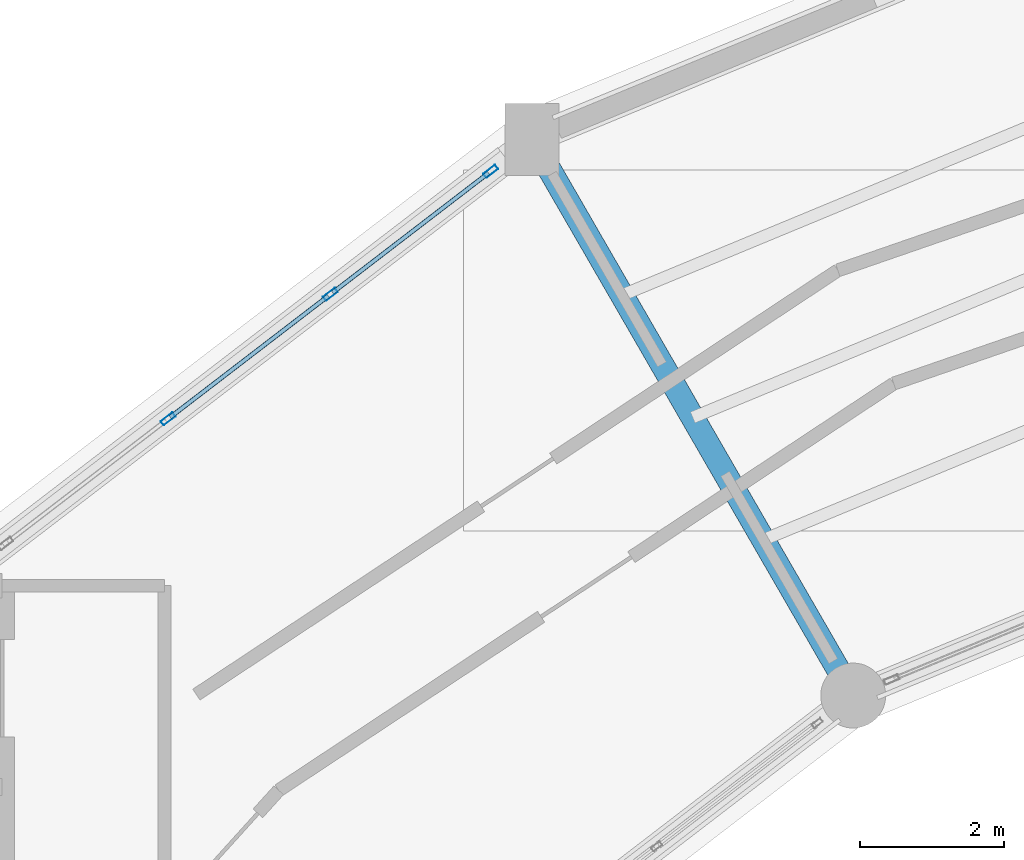
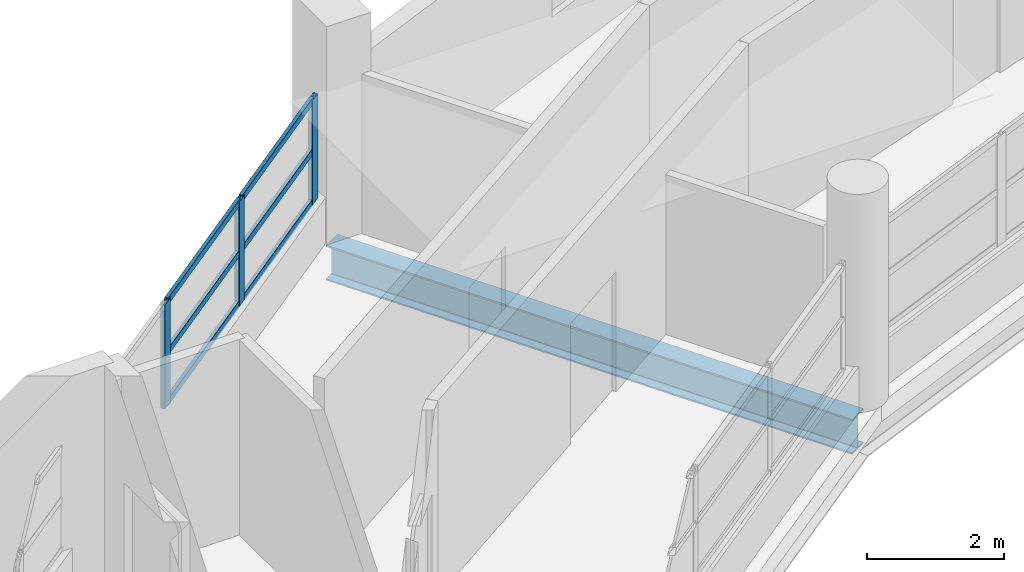
# One storey, part 46 of 121: 9 members, 1 beam, 1 element without a shape of its own.
"""IFC4 building model written with IfcOpenShell, lengths in metres."""

from ifc_helpers import new_model, si_unit, direction, frame, origin, origin_2d, place, context, subcontext, project, spatial, hollow_rectangle, i_section, extrude, material, layer, layer_set, material_profile, profile_set, type_object, element, aggregate, save


model = new_model("IFC4")

# Units and contexts
model_context = context("Model", 3, precision=1e-05, world=origin(), true_north=direction((0.0, 1.0)))
body_context = subcontext(model_context, "Body", "Model", "MODEL_VIEW")
ifc_project = project(units=[si_unit("LENGTHUNIT", "METRE"), si_unit("AREAUNIT", "SQUARE_METRE"), si_unit("VOLUMEUNIT", "CUBIC_METRE"), si_unit("PLANEANGLEUNIT", "RADIAN"), si_unit("MASSUNIT", "GRAM", prefix="KILO")], contexts=[model_context])

# Site, building, storey
site_placement = place(None, origin())
site = spatial("IfcSite", under=ifc_project, at=site_placement, CompositionType="ELEMENT")
building_placement = place(site_placement, origin())
building = spatial("IfcBuilding", under=site, at=building_placement, Name="Vespera Passage Community Centre", CompositionType="ELEMENT")
storey_placement = place(building_placement, frame((0.0, 0.0, 8.699951171875)))
storey = spatial("IfcBuildingStorey", under=building, at=storey_placement, Name="L02", CompositionType="ELEMENT", Elevation=8.699951171875)

# Beam
ifc_material_1 = material(Name="Steel ASTM A992 Grade 50", Category="steel")
ifc_material_profile_1 = material_profile(ifc_material_1, i_section(OverallWidth=0.32763671875, OverallDepth=0.62841796875, WebThickness=0.0166015625, FlangeThickness=0.027587890625, FilletRadius=0.0126953125, at=origin_2d()), Name="W24X146")
ifc_profile_set_1 = profile_set([ifc_material_profile_1], Name="Steel ASTM A992 Grade 50")
beam_type = type_object("IfcBeamType", Name="BM-G-W24X146", PredefinedType="BEAM", material=ifc_profile_set_1)
beam_placement = place(storey_placement, frame((59.39990234375, 97.716064453125, -0.654052734375), z_axis=(-0.499989191739, 0.866031643847, 0.0), x_axis=(-0.866031643847, -0.499989191739, 0.0)))
element("IfcBeam", 1, at=beam_placement, inside=storey, type_object=beam_type, Name="V4 L02 Radial Girder 8", PredefinedType="BEAM", context=body_context, shape_type="SweptSolid", body=[
    extrude(i_section(OverallWidth=0.32763671875, OverallDepth=0.62841796875, WebThickness=0.0166015625, FlangeThickness=0.027587890625, FilletRadius=0.0126953125, at=origin_2d()), origin(), (0.0, 0.0, 1.0), 8.900146484375),
])

# Curtain wall, members
ifc_material_2 = material(Name="Anodized aluminium 6063-T6", Category="aluminium")
ifc_layer = layer(ifc_material_2, 0.159912109375)
ifc_layer_set = layer_set([ifc_layer], Name="Anodized aluminium 6063-T6")
curtain_wall_type = type_object("IfcCurtainWallType", Name="CW-29E", PredefinedType="NOTDEFINED", material=ifc_layer_set)
curtain_wall_placement = place(storey_placement, origin())
curtain_wall = element("IfcCurtainWall", 2, at=curtain_wall_placement, inside=storey, type_object=curtain_wall_type, Name="V4 L02 Outer Ribbon Curtain Wall 8", PredefinedType="NOTDEFINED")
ifc_material_3 = material(Name="Anodized aluminium 6063-T6", Category="aluminium")
ifc_material_profile_2 = material_profile(ifc_material_3, hollow_rectangle(XDim=0.074951171875, YDim=0.2099609375, WallThickness=0.0048828125, InnerFilletRadius=0.00244140625, OuterFilletRadius=0.0048828125, at=origin_2d()), Name="ALU210X75X5")
ifc_profile_set_2 = profile_set([ifc_material_profile_2], Name="Anodized aluminium 6063-T6")
member_type_1 = type_object("IfcMemberType", Name="MB-CWM-210E", PredefinedType="MULLION", material=ifc_profile_set_2)
member_1_placement = place(storey_placement, frame((49.9033203125, 101.551513671875, 0.820068359375), z_axis=(0.0, 0.0, 1.0), x_axis=(-0.608768221519, 0.793348128169, 0.0)))
member_1 = element("IfcMember", 3, at=member_1_placement, type_object=member_type_1, Name="CW-29E mullion 3", PredefinedType="MULLION", context=body_context, shape_type="SweptSolid", body=[
    extrude(hollow_rectangle(XDim=0.074951171875, YDim=0.2099609375, WallThickness=0.0048828125, InnerFilletRadius=0.00244140625, OuterFilletRadius=0.0048828125, at=origin_2d()), origin(), (0.0, 0.0, 1.0), 1.865478515625),
])
member_2_placement = place(storey_placement, frame((52.15380859375, 103.2783203125, 0.820068359375), z_axis=(0.0, 0.0, 1.0), x_axis=(-0.608768221519, 0.793348128169, 0.0)))
member_2 = element("IfcMember", 4, at=member_2_placement, type_object=member_type_1, Name="CW-29E mullion 4", PredefinedType="MULLION", context=body_context, shape_type="SweptSolid", body=[
    extrude(hollow_rectangle(XDim=0.074951171875, YDim=0.2099609375, WallThickness=0.0048828125, InnerFilletRadius=0.00244140625, OuterFilletRadius=0.0048828125, at=origin_2d()), origin(), (0.0, 0.0, 1.0), 1.865478515625),
])
member_3_placement = place(storey_placement, frame((54.374755859375, 104.982421875, 0.820068359375), z_axis=(0.0, 0.0, 1.0), x_axis=(-0.608768221519, 0.793348128169, 0.0)))
member_3 = element("IfcMember", 5, at=member_3_placement, type_object=member_type_1, Name="CW-29E mullion 5", PredefinedType="MULLION", context=body_context, shape_type="SweptSolid", body=[
    extrude(hollow_rectangle(XDim=0.074951171875, YDim=0.2099609375, WallThickness=0.0048828125, InnerFilletRadius=0.00244140625, OuterFilletRadius=0.0048828125, at=origin_2d()), origin(), (0.0, 0.0, 1.0), 1.865478515625),
])
ifc_material_4 = material(Name="Anodized aluminium 6063-T6", Category="aluminium")
ifc_material_profile_3 = material_profile(ifc_material_4, hollow_rectangle(XDim=0.06005859375, YDim=0.1201171875, WallThickness=0.00390625, InnerFilletRadius=0.001953125, OuterFilletRadius=0.00390625, at=origin_2d()), Name="ALU120X60X4")
ifc_profile_set_3 = profile_set([ifc_material_profile_3], Name="Anodized aluminium 6063-T6")
member_type_2 = type_object("IfcMemberType", Name="MB-CWT-120E", PredefinedType="USERDEFINED", material=ifc_profile_set_3)
member_4_placement = place(storey_placement, frame((49.93310546875, 101.57421875, 0.85009765625), z_axis=(0.793385774295, 0.60871915786, 0.0), x_axis=(-0.60871915786, 0.793385774295, 0.0)))
member_4 = element("IfcMember", 6, at=member_4_placement, type_object=member_type_2, Name="CW-29E transom 3.1", ObjectType="TRANSOM", PredefinedType="USERDEFINED", context=body_context, shape_type="SweptSolid", body=[
    extrude(hollow_rectangle(XDim=0.06005859375, YDim=0.1201171875, WallThickness=0.00390625, InnerFilletRadius=0.001953125, OuterFilletRadius=0.00390625, at=origin_2d()), origin(), (0.0, 0.0, 1.0), 2.76171875),
])
member_5_placement = place(storey_placement, frame((49.93310546875, 101.57421875, 1.7529296875), z_axis=(0.793385774295, 0.60871915786, 0.0), x_axis=(-0.60871915786, 0.793385774295, 0.0)))
member_5 = element("IfcMember", 7, at=member_5_placement, type_object=member_type_2, Name="CW-29E transom 3.2", ObjectType="TRANSOM", PredefinedType="USERDEFINED", context=body_context, shape_type="SweptSolid", body=[
    extrude(hollow_rectangle(XDim=0.06005859375, YDim=0.1201171875, WallThickness=0.00390625, InnerFilletRadius=0.001953125, OuterFilletRadius=0.00390625, at=origin_2d()), origin(), (0.0, 0.0, 1.0), 2.76171875),
])
member_6_placement = place(storey_placement, frame((49.93310546875, 101.57421875, 2.65576171875), z_axis=(0.793385774295, 0.60871915786, 0.0), x_axis=(-0.60871915786, 0.793385774295, 0.0)))
member_6 = element("IfcMember", 8, at=member_6_placement, type_object=member_type_2, Name="CW-29E transom 3.3", ObjectType="TRANSOM", PredefinedType="USERDEFINED", context=body_context, shape_type="SweptSolid", body=[
    extrude(hollow_rectangle(XDim=0.06005859375, YDim=0.1201171875, WallThickness=0.00390625, InnerFilletRadius=0.001953125, OuterFilletRadius=0.00390625, at=origin_2d()), origin(), (0.0, 0.0, 1.0), 2.76171875),
])
member_7_placement = place(storey_placement, frame((52.18359375, 103.301025390625, 0.85009765625), z_axis=(0.793359651626, 0.608753203829, 0.0), x_axis=(-0.608753203829, 0.793359651626, 0.0)))
member_7 = element("IfcMember", 9, at=member_7_placement, type_object=member_type_2, Name="CW-29E transom 4.1", ObjectType="TRANSOM", PredefinedType="USERDEFINED", context=body_context, shape_type="SweptSolid", body=[
    extrude(hollow_rectangle(XDim=0.06005859375, YDim=0.1201171875, WallThickness=0.00390625, InnerFilletRadius=0.001953125, OuterFilletRadius=0.00390625, at=origin_2d()), origin(), (0.0, 0.0, 1.0), 2.724365234375),
])
member_8_placement = place(storey_placement, frame((52.18359375, 103.301025390625, 1.7529296875), z_axis=(0.793359651626, 0.608753203829, 0.0), x_axis=(-0.608753203829, 0.793359651626, 0.0)))
member_8 = element("IfcMember", 10, at=member_8_placement, type_object=member_type_2, Name="CW-29E transom 4.2", ObjectType="TRANSOM", PredefinedType="USERDEFINED", context=body_context, shape_type="SweptSolid", body=[
    extrude(hollow_rectangle(XDim=0.06005859375, YDim=0.1201171875, WallThickness=0.00390625, InnerFilletRadius=0.001953125, OuterFilletRadius=0.00390625, at=origin_2d()), origin(), (0.0, 0.0, 1.0), 2.724365234375),
])
member_9_placement = place(storey_placement, frame((52.18359375, 103.301025390625, 2.65576171875), z_axis=(0.793359651626, 0.608753203829, 0.0), x_axis=(-0.608753203829, 0.793359651626, 0.0)))
member_9 = element("IfcMember", 11, at=member_9_placement, type_object=member_type_2, Name="CW-29E transom 4.3", ObjectType="TRANSOM", PredefinedType="USERDEFINED", context=body_context, shape_type="SweptSolid", body=[
    extrude(hollow_rectangle(XDim=0.06005859375, YDim=0.1201171875, WallThickness=0.00390625, InnerFilletRadius=0.001953125, OuterFilletRadius=0.00390625, at=origin_2d()), origin(), (0.0, 0.0, 1.0), 2.724365234375),
])
aggregate(curtain_wall, [member_1, member_2, member_3, member_4, member_5, member_6, member_7, member_8, member_9])

save(model, "model.ifc")
